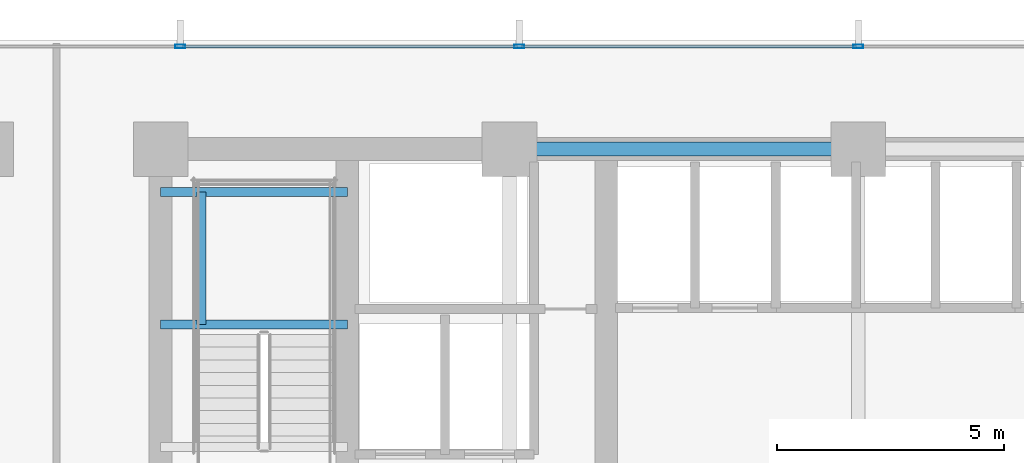
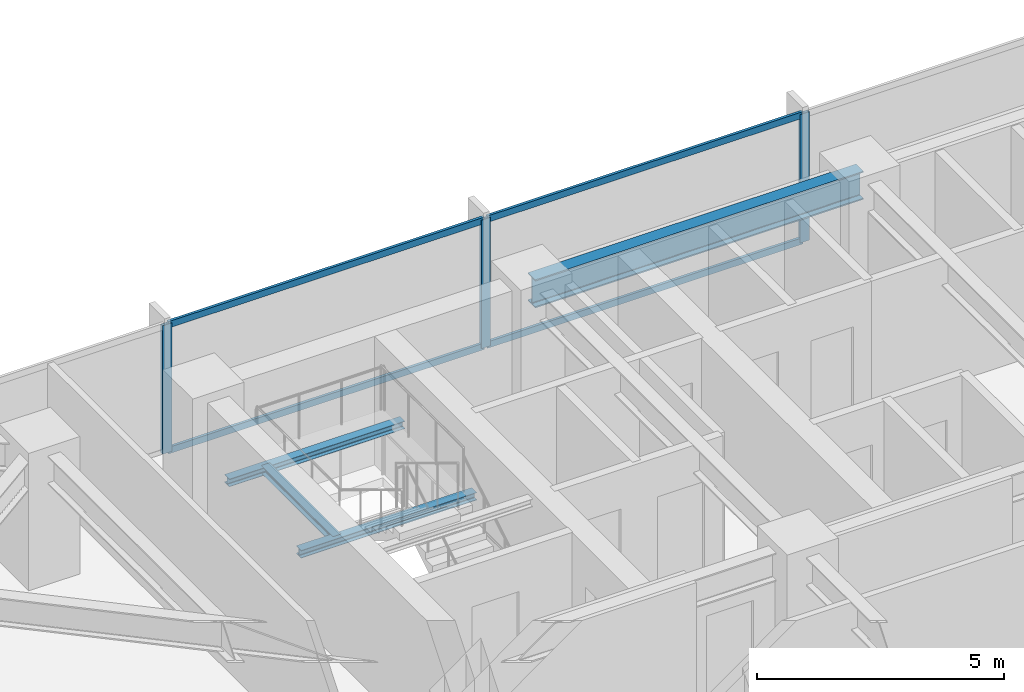
# One storey, part 18 of 32: 7 members, 4 beams, 1 element without a shape of its own.
"""IFC4 building model written with IfcOpenShell, lengths in metres."""

from ifc_helpers import new_model, si_unit, direction, frame, origin, origin_2d, place, context, subcontext, project, spatial, hollow_rectangle, i_section, extrude, material, material_profile, profile_set, type_object, element, aggregate, save


model = new_model("IFC4")

# Units and contexts
model_context = context("Model", 3, precision=1e-05, world=origin(), true_north=direction((0.0, 1.0)))
body_context = subcontext(model_context, "Body", "Model", "MODEL_VIEW")
ifc_project = project(units=[si_unit("LENGTHUNIT", "METRE"), si_unit("AREAUNIT", "SQUARE_METRE"), si_unit("VOLUMEUNIT", "CUBIC_METRE"), si_unit("PLANEANGLEUNIT", "RADIAN"), si_unit("MASSUNIT", "GRAM", prefix="KILO")], contexts=[model_context])

# Site, building, storey
site_placement = place(None, origin())
site = spatial("IfcSite", under=ifc_project, at=site_placement, CompositionType="ELEMENT")
building_placement = place(site_placement, origin())
building = spatial("IfcBuilding", under=site, at=building_placement, Name="Yelkora Congress Tower", CompositionType="ELEMENT")
storey_placement = place(building_placement, frame((0.0, 0.0, 61.0)))
storey = spatial("IfcBuildingStorey", under=building, at=storey_placement, Name="L15", CompositionType="ELEMENT", Elevation=61.0)

# Beams
ifc_material_1 = material(Name="Steel S355J2", Category="steel")
ifc_material_profile_1 = material_profile(ifc_material_1, i_section(OverallWidth=0.300048828125, OverallDepth=0.699951171875, WebThickness=0.01708984375, FlangeThickness=0.031982421875, FilletRadius=0.027099609375, at=origin_2d()), Name="HEB 700")
ifc_profile_set_1 = profile_set([ifc_material_profile_1], Name="Steel S355J2")
beam_type_1 = type_object("IfcBeamType", Name="BM-GIRD-HEB700", PredefinedType="BEAM", material=ifc_profile_set_1)
beam_1_placement = place(storey_placement, frame((30.719970703125, 46.199951171875, 2.830078125), z_axis=(1.0, 0.0, 0.0), x_axis=(0.0, 1.0, 0.0)))
element("IfcBeam", 1, at=beam_1_placement, inside=storey, type_object=beam_type_1, Name="L15 Core North Girder 3", PredefinedType="BEAM", context=body_context, shape_type="SweptSolid", body=[
    extrude(i_section(OverallWidth=0.300048828125, OverallDepth=0.699951171875, WebThickness=0.01708984375, FlangeThickness=0.031982421875, FilletRadius=0.027099609375, at=origin_2d()), origin(), (0.0, 0.0, 1.0), 7.679931640625),
])
ifc_material_profile_2 = material_profile(ifc_material_1, i_section(OverallWidth=0.199951171875, OverallDepth=0.18994140625, WebThickness=0.006591796875, FlangeThickness=0.010009765625, FilletRadius=0.01806640625, at=origin_2d()), Name="HEA 200")
ifc_profile_set_2 = profile_set([ifc_material_profile_2], Name="Steel S355J2")
beam_type_2 = type_object("IfcBeamType", Name="BM-LAND-HEA200", PredefinedType="BEAM", material=ifc_profile_set_2)
for number, where, z_axis, x_axis, name in (
    (2, (23.0400390625, 42.340087890625, 1.384521484375), (1.0, 0.0, 0.0), (0.0, 1.0, 0.0), "ST-01 L15 Landing Header Beam 1S"),
    (3, (23.0400390625, 45.25, 1.384521484375), (1.0, 0.0, 0.0), (0.0, 1.0, 0.0), "ST-01 L15 Landing Header Beam 1N"),
):
    element("IfcBeam", number, at=place(storey_placement, frame(where, z_axis=z_axis, x_axis=x_axis)), inside=storey, type_object=beam_type_2, Name=name, PredefinedType="BEAM", context=body_context, shape_type="SweptSolid", body=[
        extrude(i_section(OverallWidth=0.199951171875, OverallDepth=0.18994140625, WebThickness=0.006591796875, FlangeThickness=0.010009765625, FilletRadius=0.01806640625, at=origin_2d()), origin(), (0.0, 0.0, 1.0), 4.10986328125),
    ])
beam_2_placement = place(storey_placement, frame((23.93994140625, 42.340087890625, 1.384521484375), z_axis=(0.0, 1.0, 0.0), x_axis=(-1.0, 0.0, 0.0)))
element("IfcBeam", 4, at=beam_2_placement, inside=storey, type_object=beam_type_2, Name="ST-01 L15 Landing Trimmer Beam 1M", PredefinedType="BEAM", context=body_context, shape_type="SweptSolid", body=[
    extrude(i_section(OverallWidth=0.199951171875, OverallDepth=0.18994140625, WebThickness=0.006591796875, FlangeThickness=0.010009765625, FilletRadius=0.01806640625, at=origin_2d()), origin(), (0.0, 0.0, 1.0), 2.909912109375),
])

# Curtain wall, members
ifc_material_2 = material(Name="Anodised aluminium and insulated glass", Category="aluminium")
curtain_wall_type = type_object("IfcCurtainWallType", Name="CW-SYS-B1", PredefinedType="NOTDEFINED", material=ifc_material_2)
curtain_wall_placement = place(storey_placement, origin())
curtain_wall = element("IfcCurtainWall", 5, at=curtain_wall_placement, inside=storey, type_object=curtain_wall_type, Name="L15 Unitised Curtain Wall 10", PredefinedType="NOTDEFINED")
ifc_material_3 = material(Name="Anodised aluminium 6063-T6", Category="aluminium")
ifc_material_profile_3 = material_profile(ifc_material_3, hollow_rectangle(XDim=0.074951171875, YDim=0.219970703125, WallThickness=0.0048828125, at=origin_2d()), Name="ALU 75x220x5")
ifc_profile_set_3 = profile_set([ifc_material_profile_3], Name="Anodised aluminium 6063-T6")
member_type_1 = type_object("IfcMemberType", Name="MEM-ML-B1", PredefinedType="MULLION", material=ifc_profile_set_3)
member_1_placement = place(storey_placement, frame((23.469970703125, 48.4599609375, 0.0), z_axis=(0.0, 0.0, 1.0), x_axis=(0.0, 1.0, 0.0)))
member_1 = element("IfcMember", 6, at=member_1_placement, type_object=member_type_1, Name="CW-B1 mullion 3", PredefinedType="MULLION", context=body_context, shape_type="SweptSolid", body=[
    extrude(hollow_rectangle(XDim=0.074951171875, YDim=0.219970703125, WallThickness=0.0048828125, at=origin_2d()), origin(), (0.0, 0.0, 1.0), 3.179931640625),
])
member_2_placement = place(storey_placement, frame((30.93505859375, 48.4599609375, 0.0), z_axis=(0.0, 0.0, 1.0), x_axis=(0.0, 1.0, 0.0)))
member_2 = element("IfcMember", 7, at=member_2_placement, type_object=member_type_1, Name="CW-B1 mullion 4", PredefinedType="MULLION", context=body_context, shape_type="SweptSolid", body=[
    extrude(hollow_rectangle(XDim=0.074951171875, YDim=0.219970703125, WallThickness=0.0048828125, at=origin_2d()), origin(), (0.0, 0.0, 1.0), 3.179931640625),
])
member_3_placement = place(storey_placement, frame((38.39990234375, 48.4599609375, 0.0), z_axis=(0.0, 0.0, 1.0), x_axis=(0.0, 1.0, 0.0)))
member_3 = element("IfcMember", 8, at=member_3_placement, type_object=member_type_1, Name="CW-B1 mullion 5", PredefinedType="MULLION", context=body_context, shape_type="SweptSolid", body=[
    extrude(hollow_rectangle(XDim=0.074951171875, YDim=0.219970703125, WallThickness=0.0048828125, at=origin_2d()), origin(), (0.0, 0.0, 1.0), 3.179931640625),
])
ifc_material_profile_4 = material_profile(ifc_material_3, hollow_rectangle(XDim=0.06494140625, YDim=0.159912109375, WallThickness=0.00390625, at=origin_2d()), Name="ALU 65x160x4")
ifc_profile_set_4 = profile_set([ifc_material_profile_4], Name="Anodised aluminium 6063-T6")
member_type_2 = type_object("IfcMemberType", Name="MEM-TR-B1", PredefinedType="USERDEFINED", material=ifc_profile_set_4)
member_4_placement = place(storey_placement, frame((23.507568359375, 48.4599609375, 0.032470703125), z_axis=(1.0, 0.0, 0.0), x_axis=(0.0, 1.0, 0.0)))
member_4 = element("IfcMember", 9, at=member_4_placement, type_object=member_type_2, Name="CW-B1 transom 3.1", ObjectType="TRANSOM", PredefinedType="USERDEFINED", context=body_context, shape_type="SweptSolid", body=[
    extrude(hollow_rectangle(XDim=0.06494140625, YDim=0.159912109375, WallThickness=0.00390625, at=origin_2d()), origin(), (0.0, 0.0, 1.0), 7.389892578125),
])
member_5_placement = place(storey_placement, frame((23.507568359375, 48.4599609375, 3.1474609375), z_axis=(1.0, 0.0, 0.0), x_axis=(0.0, 1.0, 0.0)))
member_5 = element("IfcMember", 10, at=member_5_placement, type_object=member_type_2, Name="CW-B1 transom 3.2", ObjectType="TRANSOM", PredefinedType="USERDEFINED", context=body_context, shape_type="SweptSolid", body=[
    extrude(hollow_rectangle(XDim=0.06494140625, YDim=0.159912109375, WallThickness=0.00390625, at=origin_2d()), origin(), (0.0, 0.0, 1.0), 7.389892578125),
])
member_6_placement = place(storey_placement, frame((30.972412109375, 48.4599609375, 0.032470703125), z_axis=(1.0, 0.0, 0.0), x_axis=(0.0, 1.0, 0.0)))
member_6 = element("IfcMember", 11, at=member_6_placement, type_object=member_type_2, Name="CW-B1 transom 4.1", ObjectType="TRANSOM", PredefinedType="USERDEFINED", context=body_context, shape_type="SweptSolid", body=[
    extrude(hollow_rectangle(XDim=0.06494140625, YDim=0.159912109375, WallThickness=0.00390625, at=origin_2d()), origin(), (0.0, 0.0, 1.0), 7.39013671875),
])
member_7_placement = place(storey_placement, frame((30.972412109375, 48.4599609375, 3.1474609375), z_axis=(1.0, 0.0, 0.0), x_axis=(0.0, 1.0, 0.0)))
member_7 = element("IfcMember", 12, at=member_7_placement, type_object=member_type_2, Name="CW-B1 transom 4.2", ObjectType="TRANSOM", PredefinedType="USERDEFINED", context=body_context, shape_type="SweptSolid", body=[
    extrude(hollow_rectangle(XDim=0.06494140625, YDim=0.159912109375, WallThickness=0.00390625, at=origin_2d()), origin(), (0.0, 0.0, 1.0), 7.39013671875),
])
aggregate(curtain_wall, [member_1, member_2, member_3, member_4, member_5, member_6, member_7])

save(model, "model.ifc")
